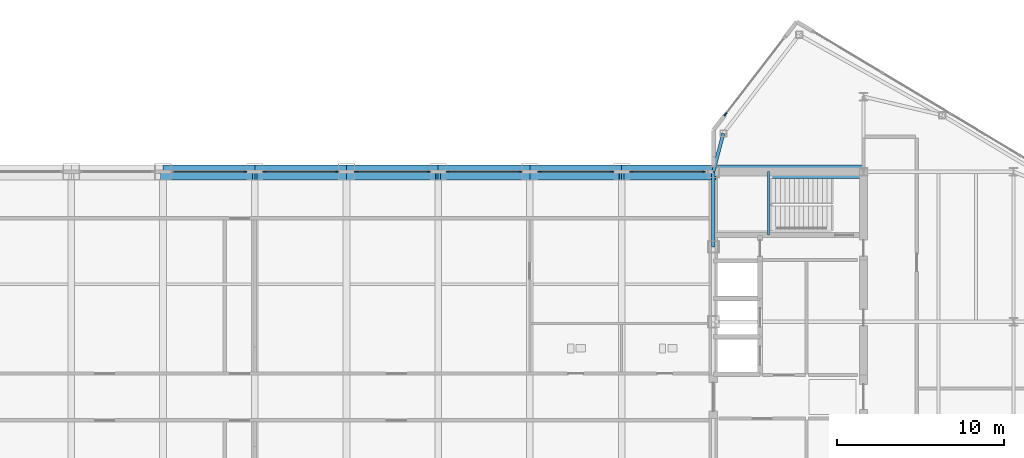
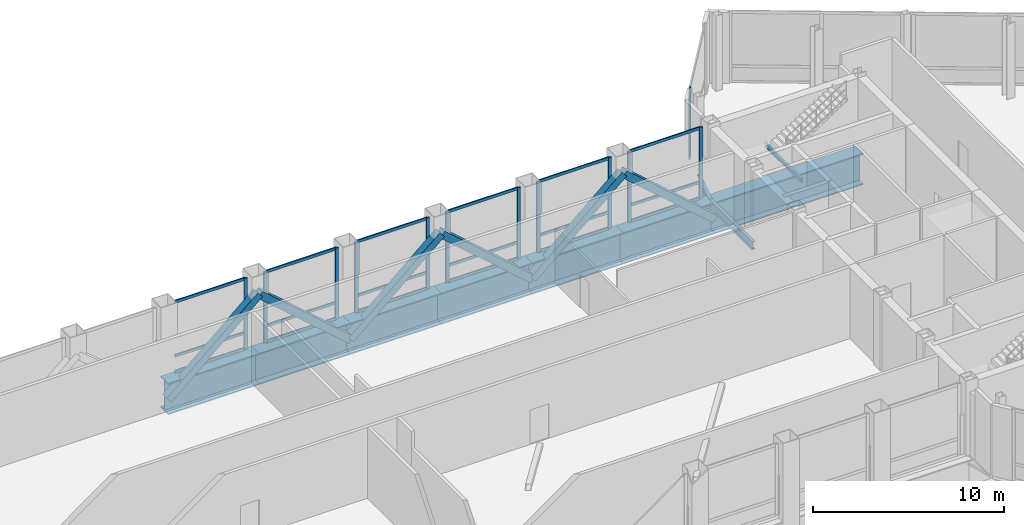
# One storey, part 16 of 29: 36 members, 10 beams, 7 elements without a shape of their own.
"""IFC4 building model written with IfcOpenShell, lengths in metres."""

from ifc_helpers import new_model, si_unit, direction, frame, origin, origin_2d, place, context, subcontext, project, spatial, rectangle, hollow_rectangle, i_section, extrude, source, transform, mapped, material, layer, layer_set, material_profile, profile_set, type_object, type_shapes, element, aggregate, save


model = new_model("IFC4")

# Units and contexts
model_context = context("Model", 3, precision=1e-05, world=origin(), true_north=direction((0.0, 1.0)))
body_context = subcontext(model_context, "Body", "Model", "MODEL_VIEW")
ifc_project = project(units=[si_unit("LENGTHUNIT", "METRE"), si_unit("AREAUNIT", "SQUARE_METRE"), si_unit("VOLUMEUNIT", "CUBIC_METRE"), si_unit("PLANEANGLEUNIT", "RADIAN"), si_unit("MASSUNIT", "GRAM", prefix="KILO")], contexts=[model_context])

# Site, building, storey
site_placement = place(None, origin())
site = spatial("IfcSite", under=ifc_project, at=site_placement, CompositionType="ELEMENT")
building_placement = place(site_placement, origin())
building = spatial("IfcBuilding", under=site, at=building_placement, Name="Seokmaru Belvedere", CompositionType="ELEMENT")
storey_placement = place(building_placement, frame((0.0, 0.0, 229.800048828125)))
storey = spatial("IfcBuildingStorey", under=building, at=storey_placement, Name="L61", CompositionType="ELEMENT", Elevation=229.800048828125)

# Beams
ifc_material_1 = material(Name="Steel SM355 (355 MPa)", Category="steel")
ifc_material_profile_1 = material_profile(ifc_material_1, i_section(OverallWidth=0.199951171875, OverallDepth=0.5, WebThickness=0.010009765625, FlangeThickness=0.01611328125, at=origin_2d()), Name="H-500x200x10x16")
ifc_profile_set_1 = profile_set([ifc_material_profile_1], Name="Steel SM355 (355 MPa)")
beam_type_1 = type_object("IfcBeamType", Name="Perimeter Spandrel Beam H-500", PredefinedType="SPANDREL", material=ifc_profile_set_1)
shared_shape_1 = source(origin(), body_context, "Body", "SweptSolid", [
    extrude(i_section(OverallWidth=0.199951171875, OverallDepth=0.5, WebThickness=0.010009765625, FlangeThickness=0.01611328125, at=origin_2d()), origin(), (0.0, 0.0, 1.0), 4.5),
])
beam_1_placement = place(storey_placement, frame((27.5, 9.0, -0.510009765625), z_axis=(0.0, 1.0, 0.0), x_axis=(-1.0, 0.0, 0.0)))
element("IfcBeam", 1, at=beam_1_placement, inside=storey, type_object=beam_type_1, Name="L61 E Portal Spine Spandrel 5", PredefinedType="SPANDREL", context=body_context, shape_type="MappedRepresentation", body=[
    mapped(shared_shape_1, transform((0.0, 0.0, 0.0), scale=1.0)),
])
shared_shape_2 = source(origin(), body_context, "Body", "SweptSolid", [
    extrude(i_section(OverallWidth=0.199951171875, OverallDepth=0.5, WebThickness=0.010009765625, FlangeThickness=0.01611328125, at=origin_2d()), origin(), (0.0, 0.0, 1.0), 2.373046875),
])
type_shapes(beam_type_1, [shared_shape_1, shared_shape_2])
beam_2_placement = place(storey_placement, frame((28.10009765625, 15.7958984375, -0.510009765625), z_axis=(-0.252882558842, -0.967496982648, 0.0), x_axis=(0.967496982648, -0.252882558842, 0.0)))
element("IfcBeam", 2, at=beam_2_placement, inside=storey, type_object=beam_type_1, Name="L61 E Shoulder Spine Spandrel N", PredefinedType="SPANDREL", context=body_context, shape_type="MappedRepresentation", body=[
    mapped(shared_shape_2, transform((0.0, 0.0, 0.0), scale=1.0)),
])
ifc_material_2 = material(Name="Steel HSA650 (650 MPa)", Category="steel")
ifc_material_profile_2 = material_profile(ifc_material_2, i_section(OverallWidth=0.800048828125, OverallDepth=2.0, WebThickness=0.0400390625, FlangeThickness=0.070068359375, at=origin_2d()), Name="BH-2000x800x40x70")
ifc_profile_set_2 = profile_set([ifc_material_profile_2], Name="Steel HSA650 (650 MPa)")
beam_type_2 = type_object("IfcBeamType", Name="Sky-Gate Transfer Truss Chord Girder BH-2000", PredefinedType="BEAM", material=ifc_profile_set_2)
shared_shape_3 = source(origin(), body_context, "Body", "SweptSolid", [
    extrude(i_section(OverallWidth=0.800048828125, OverallDepth=2.0, WebThickness=0.0400390625, FlangeThickness=0.070068359375, at=origin_2d()), origin(), (0.0, 0.0, 1.0), 9.0),
])
beam_3_placement = place(storey_placement, frame((27.5, 13.5, -1.260009765625), z_axis=(1.0, 0.0, 0.0), x_axis=(0.0, 1.0, 0.0)))
element("IfcBeam", 3, at=beam_3_placement, inside=storey, type_object=beam_type_2, Name="L61 Sky-Gate Transfer Truss Chord N-12", PredefinedType="BEAM", context=body_context, shape_type="MappedRepresentation", body=[
    mapped(shared_shape_3, transform((0.0, 0.0, 0.0), scale=1.0)),
])
shared_shape_4 = source(origin(), body_context, "Body", "SweptSolid", [
    extrude(i_section(OverallWidth=0.800048828125, OverallDepth=2.0, WebThickness=0.0400390625, FlangeThickness=0.070068359375, at=origin_2d()), origin(), (0.0, 0.0, 1.0), 5.5),
])
type_shapes(beam_type_2, [shared_shape_3, shared_shape_4])
for number, where, z_axis, x_axis, name in (
    (4, (-5.5, 13.5, -1.260009765625), (1.0, 0.0, 0.0), (0.0, 1.0, 0.0), "L61 Sky-Gate Transfer Truss Chord N-06"),
    (5, (0.0, 13.5, -1.260009765625), (1.0, 0.0, 0.0), (0.0, 1.0, 0.0), "L61 Sky-Gate Transfer Truss Chord N-07"),
    (6, (5.5, 13.5, -1.260009765625), (1.0, 0.0, 0.0), (0.0, 1.0, 0.0), "L61 Sky-Gate Transfer Truss Chord N-08"),
    (7, (11.0, 13.5, -1.260009765625), (1.0, 0.0, 0.0), (0.0, 1.0, 0.0), "L61 Sky-Gate Transfer Truss Chord N-09"),
    (8, (16.5, 13.5, -1.260009765625), (1.0, 0.0, 0.0), (0.0, 1.0, 0.0), "L61 Sky-Gate Transfer Truss Chord N-10"),
    (9, (22.0, 13.5, -1.260009765625), (1.0, 0.0, 0.0), (0.0, 1.0, 0.0), "L61 Sky-Gate Transfer Truss Chord N-11"),
):
    element("IfcBeam", number, at=place(storey_placement, frame(where, z_axis=z_axis, x_axis=x_axis)), inside=storey, type_object=beam_type_2, Name=name, PredefinedType="BEAM", context=body_context, shape_type="MappedRepresentation", body=[
        mapped(shared_shape_4, transform((0.0, 0.0, 0.0), scale=1.0)),
    ])

# Members
ifc_material_profile_3 = material_profile(ifc_material_2, hollow_rectangle(XDim=0.449951171875, YDim=0.449951171875, WallThickness=0.01806640625, at=origin_2d()), Name="HSS-450x450x18")
ifc_profile_set_3 = profile_set([ifc_material_profile_3], Name="Steel HSA650 (650 MPa)")
member_type_1 = type_object("IfcMemberType", Name="Sky-Gate Transfer Truss Web Diagonal HSS-450", PredefinedType="BRACE", material=ifc_profile_set_3)
shared_shape_5 = source(origin(), body_context, "Body", "SweptSolid", [
    extrude(hollow_rectangle(XDim=0.449951171875, YDim=0.449951171875, WallThickness=0.01806640625, at=origin_2d()), origin(), (0.0, 0.0, 1.0), 7.300048828125),
])
type_shapes(member_type_1, [shared_shape_5])
for number, where, z_axis, x_axis, name in (
    (10, (-5.5, 13.22412109375, -1.260009765625), (0.753421343899, 0.0, 0.65753804343), (0.0, 1.0, 0.0), "L61 Sky-Gate Transfer Truss Web Diagonal N-05"),
    (11, (0.0, 13.22412109375, 3.5400390625), (0.753421343899, 0.0, -0.65753804343), (0.0, 1.0, 0.0), "L61 Sky-Gate Transfer Truss Web Diagonal N-06"),
    (12, (5.5, 13.22412109375, -1.260009765625), (0.753421343899, 0.0, 0.65753804343), (0.0, 1.0, 0.0), "L61 Sky-Gate Transfer Truss Web Diagonal N-07"),
    (13, (11.0, 13.22412109375, 3.5400390625), (0.753421343899, 0.0, -0.65753804343), (0.0, 1.0, 0.0), "L61 Sky-Gate Transfer Truss Web Diagonal N-08"),
    (14, (16.5, 13.22412109375, -1.260009765625), (0.753421343899, 0.0, 0.65753804343), (0.0, 1.0, 0.0), "L61 Sky-Gate Transfer Truss Web Diagonal N-09"),
    (15, (22.0, 13.22412109375, 3.5400390625), (0.753421343899, 0.0, -0.65753804343), (0.0, 1.0, 0.0), "L61 Sky-Gate Transfer Truss Web Diagonal N-10"),
):
    element("IfcMember", number, at=place(storey_placement, frame(where, z_axis=z_axis, x_axis=x_axis)), inside=storey, type_object=member_type_1, Name=name, PredefinedType="BRACE", context=body_context, shape_type="MappedRepresentation", body=[
        mapped(shared_shape_5, transform((0.0, 0.0, 0.0), scale=1.0)),
    ])

# Curtain wall, member
ifc_material_3 = material(Name="Bronze Triple Insulating Glass", Category="glass")
ifc_layer = layer(ifc_material_3, 0.219970703125)
ifc_layer_set = layer_set([ifc_layer], Name="Bronze Triple Insulating Glass")
curtain_wall_type = type_object("IfcCurtainWallType", Name="Sky-Gate Bridge Panorama Curtain Wall System CW-6", PredefinedType="NOTDEFINED", material=ifc_layer_set)
curtain_wall_1_placement = place(storey_placement, origin())
curtain_wall_1 = element("IfcCurtainWall", 16, at=curtain_wall_1_placement, inside=storey, type_object=curtain_wall_type, Name="L61 Curtain Wall EF4", PredefinedType="NOTDEFINED")
ifc_material_4 = material(Name="Anodised Bronze Aluminium", Category="aluminium")
ifc_material_profile_4 = material_profile(ifc_material_4, rectangle(XDim=0.080078125, YDim=0.219970703125, at=origin_2d()), Name="CW-M-80x220")
ifc_profile_set_4 = profile_set([ifc_material_profile_4], Name="Anodised Bronze Aluminium")
member_type_2 = type_object("IfcMemberType", Name="Bronze Unitised Mullion 80x220", PredefinedType="MULLION", material=ifc_profile_set_4)
shared_shape_6 = source(origin(), body_context, "Body", "SweptSolid", [
    extrude(rectangle(XDim=0.080078125, YDim=0.219970703125, at=origin_2d()), origin(), (0.0, 0.0, 1.0), 4.5400390625),
])
type_shapes(member_type_2, [shared_shape_6])
member_1_placement = place(storey_placement, frame((28.2255859375, 16.943115234375, 0.0), z_axis=(0.0, 0.0, 1.0), x_axis=(0.792631353244, -0.609701187349, 0.0)))
member_1 = element("IfcMember", 17, at=member_1_placement, type_object=member_type_2, Name="CW:L61:EF4 Mullion 2", PredefinedType="MULLION", context=body_context, shape_type="MappedRepresentation", body=[
    mapped(shared_shape_6, transform((0.0, 0.0, 0.0), scale=1.0)),
])
aggregate(curtain_wall_1, [member_1])

curtain_wall_2_placement = place(storey_placement, origin())
curtain_wall_2 = element("IfcCurtainWall", 18, at=curtain_wall_2_placement, inside=storey, type_object=curtain_wall_type, Name="L61 Curtain Wall BR_N05", PredefinedType="NOTDEFINED")
member_2_placement = place(storey_placement, frame((-0.590087890625, 13.5, 0.0), z_axis=(0.0, 0.0, 1.0), x_axis=(0.0, -1.0, 0.0)))
member_2 = element("IfcMember", 19, at=member_2_placement, type_object=member_type_2, Name="CW:L61:BR_N05 Mullion 1", PredefinedType="MULLION", context=body_context, shape_type="MappedRepresentation", body=[
    mapped(shared_shape_6, transform((0.0, 0.0, 0.0), scale=1.0)),
])

# Curtain wall, members
curtain_wall_3_placement = place(storey_placement, origin())
curtain_wall_3 = element("IfcCurtainWall", 20, at=curtain_wall_3_placement, inside=storey, type_object=curtain_wall_type, Name="L61 Curtain Wall BR_N06", PredefinedType="NOTDEFINED")
member_3_placement = place(storey_placement, frame((4.909912109375, 13.5, 0.0), z_axis=(0.0, 0.0, 1.0), x_axis=(0.0, -1.0, 0.0)))
member_3 = element("IfcMember", 21, at=member_3_placement, type_object=member_type_2, Name="CW:L61:BR_N06 Mullion 1", PredefinedType="MULLION", context=body_context, shape_type="MappedRepresentation", body=[
    mapped(shared_shape_6, transform((0.0, 0.0, 0.0), scale=1.0)),
])
member_4_placement = place(storey_placement, frame((0.590087890625, 13.5, 0.0), z_axis=(0.0, 0.0, 1.0), x_axis=(0.0, -1.0, 0.0)))
member_4 = element("IfcMember", 22, at=member_4_placement, type_object=member_type_2, Name="CW:L61:BR_N06 Mullion 2", PredefinedType="MULLION", context=body_context, shape_type="MappedRepresentation", body=[
    mapped(shared_shape_6, transform((0.0, 0.0, 0.0), scale=1.0)),
])

curtain_wall_4_placement = place(storey_placement, origin())
curtain_wall_4 = element("IfcCurtainWall", 23, at=curtain_wall_4_placement, inside=storey, type_object=curtain_wall_type, Name="L61 Curtain Wall BR_N07", PredefinedType="NOTDEFINED")
member_5_placement = place(storey_placement, frame((10.409912109375, 13.5, 0.0), z_axis=(0.0, 0.0, 1.0), x_axis=(0.0, -1.0, 0.0)))
member_5 = element("IfcMember", 24, at=member_5_placement, type_object=member_type_2, Name="CW:L61:BR_N07 Mullion 1", PredefinedType="MULLION", context=body_context, shape_type="MappedRepresentation", body=[
    mapped(shared_shape_6, transform((0.0, 0.0, 0.0), scale=1.0)),
])
member_6_placement = place(storey_placement, frame((6.090087890625, 13.5, 0.0), z_axis=(0.0, 0.0, 1.0), x_axis=(0.0, -1.0, 0.0)))
member_6 = element("IfcMember", 25, at=member_6_placement, type_object=member_type_2, Name="CW:L61:BR_N07 Mullion 2", PredefinedType="MULLION", context=body_context, shape_type="MappedRepresentation", body=[
    mapped(shared_shape_6, transform((0.0, 0.0, 0.0), scale=1.0)),
])

curtain_wall_5_placement = place(storey_placement, origin())
curtain_wall_5 = element("IfcCurtainWall", 26, at=curtain_wall_5_placement, inside=storey, type_object=curtain_wall_type, Name="L61 Curtain Wall BR_N08", PredefinedType="NOTDEFINED")
member_7_placement = place(storey_placement, frame((15.909912109375, 13.5, 0.0), z_axis=(0.0, 0.0, 1.0), x_axis=(0.0, -1.0, 0.0)))
member_7 = element("IfcMember", 27, at=member_7_placement, type_object=member_type_2, Name="CW:L61:BR_N08 Mullion 1", PredefinedType="MULLION", context=body_context, shape_type="MappedRepresentation", body=[
    mapped(shared_shape_6, transform((0.0, 0.0, 0.0), scale=1.0)),
])
member_8_placement = place(storey_placement, frame((11.590087890625, 13.5, 0.0), z_axis=(0.0, 0.0, 1.0), x_axis=(0.0, -1.0, 0.0)))
member_8 = element("IfcMember", 28, at=member_8_placement, type_object=member_type_2, Name="CW:L61:BR_N08 Mullion 2", PredefinedType="MULLION", context=body_context, shape_type="MappedRepresentation", body=[
    mapped(shared_shape_6, transform((0.0, 0.0, 0.0), scale=1.0)),
])

curtain_wall_6_placement = place(storey_placement, origin())
curtain_wall_6 = element("IfcCurtainWall", 29, at=curtain_wall_6_placement, inside=storey, type_object=curtain_wall_type, Name="L61 Curtain Wall BR_N09", PredefinedType="NOTDEFINED")
member_9_placement = place(storey_placement, frame((21.409912109375, 13.5, 0.0), z_axis=(0.0, 0.0, 1.0), x_axis=(0.0, -1.0, 0.0)))
member_9 = element("IfcMember", 30, at=member_9_placement, type_object=member_type_2, Name="CW:L61:BR_N09 Mullion 1", PredefinedType="MULLION", context=body_context, shape_type="MappedRepresentation", body=[
    mapped(shared_shape_6, transform((0.0, 0.0, 0.0), scale=1.0)),
])
member_10_placement = place(storey_placement, frame((17.090087890625, 13.5, 0.0), z_axis=(0.0, 0.0, 1.0), x_axis=(0.0, -1.0, 0.0)))
member_10 = element("IfcMember", 31, at=member_10_placement, type_object=member_type_2, Name="CW:L61:BR_N09 Mullion 2", PredefinedType="MULLION", context=body_context, shape_type="MappedRepresentation", body=[
    mapped(shared_shape_6, transform((0.0, 0.0, 0.0), scale=1.0)),
])

curtain_wall_7_placement = place(storey_placement, origin())
curtain_wall_7 = element("IfcCurtainWall", 32, at=curtain_wall_7_placement, inside=storey, type_object=curtain_wall_type, Name="L61 Curtain Wall BR_N10", PredefinedType="NOTDEFINED")
member_11_placement = place(storey_placement, frame((26.909912109375, 13.5, 0.0), z_axis=(0.0, 0.0, 1.0), x_axis=(0.0, -1.0, 0.0)))
member_11 = element("IfcMember", 33, at=member_11_placement, type_object=member_type_2, Name="CW:L61:BR_N10 Mullion 1", PredefinedType="MULLION", context=body_context, shape_type="MappedRepresentation", body=[
    mapped(shared_shape_6, transform((0.0, 0.0, 0.0), scale=1.0)),
])
member_12_placement = place(storey_placement, frame((22.590087890625, 13.5, 0.0), z_axis=(0.0, 0.0, 1.0), x_axis=(0.0, -1.0, 0.0)))
member_12 = element("IfcMember", 34, at=member_12_placement, type_object=member_type_2, Name="CW:L61:BR_N10 Mullion 2", PredefinedType="MULLION", context=body_context, shape_type="MappedRepresentation", body=[
    mapped(shared_shape_6, transform((0.0, 0.0, 0.0), scale=1.0)),
])

# Member
ifc_material_profile_5 = material_profile(ifc_material_4, rectangle(XDim=0.074951171875, YDim=0.179931640625, at=origin_2d()), Name="CW-T-75x180")
ifc_profile_set_5 = profile_set([ifc_material_profile_5], Name="Anodised Bronze Aluminium")
member_type_3 = type_object("IfcMemberType", Name="Bronze Unitised Transom 75x180", PredefinedType="USERDEFINED", material=ifc_profile_set_5)
shared_shape_7 = source(origin(), body_context, "Body", "SweptSolid", [
    extrude(rectangle(XDim=0.074951171875, YDim=0.179931640625, at=origin_2d()), origin(), (0.0, 0.0, 1.0), 4.240234375),
])
type_shapes(member_type_3, [shared_shape_7])
member_13_placement = place(storey_placement, frame((-0.6298828125, 13.5, 0.037353515625), z_axis=(-1.0, 0.0, 0.0), x_axis=(0.0, -1.0, 0.0)))
member_13 = element("IfcMember", 35, at=member_13_placement, type_object=member_type_3, Name="CW:L61:BR_N05 Continuous Transom 1", ObjectType="TRANSOM", PredefinedType="USERDEFINED", context=body_context, shape_type="MappedRepresentation", body=[
    mapped(shared_shape_7, transform((0.0, 0.0, 0.0), scale=1.0)),
])

member_14_placement = place(storey_placement, frame((-0.6298828125, 13.5, 4.50244140625), z_axis=(-1.0, 0.0, 0.0), x_axis=(0.0, -1.0, 0.0)))
member_14 = element("IfcMember", 36, at=member_14_placement, type_object=member_type_3, Name="CW:L61:BR_N05 Continuous Transom 2", ObjectType="TRANSOM", PredefinedType="USERDEFINED", context=body_context, shape_type="MappedRepresentation", body=[
    mapped(shared_shape_7, transform((0.0, 0.0, 0.0), scale=1.0)),
])

member_15_placement = place(storey_placement, frame((-0.6298828125, 13.5, 1.050048828125), z_axis=(-1.0, 0.0, 0.0), x_axis=(0.0, -1.0, 0.0)))
member_15 = element("IfcMember", 37, at=member_15_placement, type_object=member_type_3, Name="CW:L61:BR_N05 Spandrel Transom 1", ObjectType="TRANSOM", PredefinedType="USERDEFINED", context=body_context, shape_type="MappedRepresentation", body=[
    mapped(shared_shape_7, transform((0.0, 0.0, 0.0), scale=1.0)),
])

aggregate(curtain_wall_2, [member_2, member_13, member_14, member_15])

member_16_placement = place(storey_placement, frame((4.8701171875, 13.5, 0.037353515625), z_axis=(-1.0, 0.0, 0.0), x_axis=(0.0, -1.0, 0.0)))
member_16 = element("IfcMember", 38, at=member_16_placement, type_object=member_type_3, Name="CW:L61:BR_N06 Continuous Transom 1", ObjectType="TRANSOM", PredefinedType="USERDEFINED", context=body_context, shape_type="MappedRepresentation", body=[
    mapped(shared_shape_7, transform((0.0, 0.0, 0.0), scale=1.0)),
])

member_17_placement = place(storey_placement, frame((4.8701171875, 13.5, 4.50244140625), z_axis=(-1.0, 0.0, 0.0), x_axis=(0.0, -1.0, 0.0)))
member_17 = element("IfcMember", 39, at=member_17_placement, type_object=member_type_3, Name="CW:L61:BR_N06 Continuous Transom 2", ObjectType="TRANSOM", PredefinedType="USERDEFINED", context=body_context, shape_type="MappedRepresentation", body=[
    mapped(shared_shape_7, transform((0.0, 0.0, 0.0), scale=1.0)),
])

member_18_placement = place(storey_placement, frame((4.8701171875, 13.5, 1.050048828125), z_axis=(-1.0, 0.0, 0.0), x_axis=(0.0, -1.0, 0.0)))
member_18 = element("IfcMember", 40, at=member_18_placement, type_object=member_type_3, Name="CW:L61:BR_N06 Spandrel Transom 1", ObjectType="TRANSOM", PredefinedType="USERDEFINED", context=body_context, shape_type="MappedRepresentation", body=[
    mapped(shared_shape_7, transform((0.0, 0.0, 0.0), scale=1.0)),
])

aggregate(curtain_wall_3, [member_3, member_4, member_16, member_17, member_18])

member_19_placement = place(storey_placement, frame((10.3701171875, 13.5, 0.037353515625), z_axis=(-1.0, 0.0, 0.0), x_axis=(0.0, -1.0, 0.0)))
member_19 = element("IfcMember", 41, at=member_19_placement, type_object=member_type_3, Name="CW:L61:BR_N07 Continuous Transom 1", ObjectType="TRANSOM", PredefinedType="USERDEFINED", context=body_context, shape_type="MappedRepresentation", body=[
    mapped(shared_shape_7, transform((0.0, 0.0, 0.0), scale=1.0)),
])

member_20_placement = place(storey_placement, frame((10.3701171875, 13.5, 4.50244140625), z_axis=(-1.0, 0.0, 0.0), x_axis=(0.0, -1.0, 0.0)))
member_20 = element("IfcMember", 42, at=member_20_placement, type_object=member_type_3, Name="CW:L61:BR_N07 Continuous Transom 2", ObjectType="TRANSOM", PredefinedType="USERDEFINED", context=body_context, shape_type="MappedRepresentation", body=[
    mapped(shared_shape_7, transform((0.0, 0.0, 0.0), scale=1.0)),
])

member_21_placement = place(storey_placement, frame((10.3701171875, 13.5, 1.050048828125), z_axis=(-1.0, 0.0, 0.0), x_axis=(0.0, -1.0, 0.0)))
member_21 = element("IfcMember", 43, at=member_21_placement, type_object=member_type_3, Name="CW:L61:BR_N07 Spandrel Transom 1", ObjectType="TRANSOM", PredefinedType="USERDEFINED", context=body_context, shape_type="MappedRepresentation", body=[
    mapped(shared_shape_7, transform((0.0, 0.0, 0.0), scale=1.0)),
])

aggregate(curtain_wall_4, [member_5, member_6, member_19, member_20, member_21])

member_22_placement = place(storey_placement, frame((15.8701171875, 13.5, 0.037353515625), z_axis=(-1.0, 0.0, 0.0), x_axis=(0.0, -1.0, 0.0)))
member_22 = element("IfcMember", 44, at=member_22_placement, type_object=member_type_3, Name="CW:L61:BR_N08 Continuous Transom 1", ObjectType="TRANSOM", PredefinedType="USERDEFINED", context=body_context, shape_type="MappedRepresentation", body=[
    mapped(shared_shape_7, transform((0.0, 0.0, 0.0), scale=1.0)),
])

member_23_placement = place(storey_placement, frame((15.8701171875, 13.5, 4.50244140625), z_axis=(-1.0, 0.0, 0.0), x_axis=(0.0, -1.0, 0.0)))
member_23 = element("IfcMember", 45, at=member_23_placement, type_object=member_type_3, Name="CW:L61:BR_N08 Continuous Transom 2", ObjectType="TRANSOM", PredefinedType="USERDEFINED", context=body_context, shape_type="MappedRepresentation", body=[
    mapped(shared_shape_7, transform((0.0, 0.0, 0.0), scale=1.0)),
])

member_24_placement = place(storey_placement, frame((15.8701171875, 13.5, 1.050048828125), z_axis=(-1.0, 0.0, 0.0), x_axis=(0.0, -1.0, 0.0)))
member_24 = element("IfcMember", 46, at=member_24_placement, type_object=member_type_3, Name="CW:L61:BR_N08 Spandrel Transom 1", ObjectType="TRANSOM", PredefinedType="USERDEFINED", context=body_context, shape_type="MappedRepresentation", body=[
    mapped(shared_shape_7, transform((0.0, 0.0, 0.0), scale=1.0)),
])

aggregate(curtain_wall_5, [member_7, member_8, member_22, member_23, member_24])

member_25_placement = place(storey_placement, frame((21.3701171875, 13.5, 0.037353515625), z_axis=(-1.0, 0.0, 0.0), x_axis=(0.0, -1.0, 0.0)))
member_25 = element("IfcMember", 47, at=member_25_placement, type_object=member_type_3, Name="CW:L61:BR_N09 Continuous Transom 1", ObjectType="TRANSOM", PredefinedType="USERDEFINED", context=body_context, shape_type="MappedRepresentation", body=[
    mapped(shared_shape_7, transform((0.0, 0.0, 0.0), scale=1.0)),
])

member_26_placement = place(storey_placement, frame((21.3701171875, 13.5, 4.50244140625), z_axis=(-1.0, 0.0, 0.0), x_axis=(0.0, -1.0, 0.0)))
member_26 = element("IfcMember", 48, at=member_26_placement, type_object=member_type_3, Name="CW:L61:BR_N09 Continuous Transom 2", ObjectType="TRANSOM", PredefinedType="USERDEFINED", context=body_context, shape_type="MappedRepresentation", body=[
    mapped(shared_shape_7, transform((0.0, 0.0, 0.0), scale=1.0)),
])

member_27_placement = place(storey_placement, frame((21.3701171875, 13.5, 1.050048828125), z_axis=(-1.0, 0.0, 0.0), x_axis=(0.0, -1.0, 0.0)))
member_27 = element("IfcMember", 49, at=member_27_placement, type_object=member_type_3, Name="CW:L61:BR_N09 Spandrel Transom 1", ObjectType="TRANSOM", PredefinedType="USERDEFINED", context=body_context, shape_type="MappedRepresentation", body=[
    mapped(shared_shape_7, transform((0.0, 0.0, 0.0), scale=1.0)),
])

aggregate(curtain_wall_6, [member_9, member_10, member_25, member_26, member_27])

member_28_placement = place(storey_placement, frame((26.8701171875, 13.5, 0.037353515625), z_axis=(-1.0, 0.0, 0.0), x_axis=(0.0, -1.0, 0.0)))
member_28 = element("IfcMember", 50, at=member_28_placement, type_object=member_type_3, Name="CW:L61:BR_N10 Continuous Transom 1", ObjectType="TRANSOM", PredefinedType="USERDEFINED", context=body_context, shape_type="MappedRepresentation", body=[
    mapped(shared_shape_7, transform((0.0, 0.0, 0.0), scale=1.0)),
])

member_29_placement = place(storey_placement, frame((26.8701171875, 13.5, 4.50244140625), z_axis=(-1.0, 0.0, 0.0), x_axis=(0.0, -1.0, 0.0)))
member_29 = element("IfcMember", 51, at=member_29_placement, type_object=member_type_3, Name="CW:L61:BR_N10 Continuous Transom 2", ObjectType="TRANSOM", PredefinedType="USERDEFINED", context=body_context, shape_type="MappedRepresentation", body=[
    mapped(shared_shape_7, transform((0.0, 0.0, 0.0), scale=1.0)),
])

member_30_placement = place(storey_placement, frame((26.8701171875, 13.5, 1.050048828125), z_axis=(-1.0, 0.0, 0.0), x_axis=(0.0, -1.0, 0.0)))
member_30 = element("IfcMember", 52, at=member_30_placement, type_object=member_type_3, Name="CW:L61:BR_N10 Spandrel Transom 1", ObjectType="TRANSOM", PredefinedType="USERDEFINED", context=body_context, shape_type="MappedRepresentation", body=[
    mapped(shared_shape_7, transform((0.0, 0.0, 0.0), scale=1.0)),
])

aggregate(curtain_wall_7, [member_11, member_12, member_28, member_29, member_30])

# Beam
ifc_material_profile_6 = material_profile(ifc_material_1, i_section(OverallWidth=0.125, OverallDepth=0.25, WebThickness=0.006103515625, FlangeThickness=0.009033203125, at=origin_2d()), Name="H-250x125x6x9")
ifc_profile_set_6 = profile_set([ifc_material_profile_6], Name="Steel SM355 (355 MPa)")
beam_type_3 = type_object("IfcBeamType", Name="Stair Mid-Landing Support Beam H-250", PredefinedType="JOIST", material=ifc_profile_set_6)
shared_shape_8 = source(origin(), body_context, "Body", "SweptSolid", [
    extrude(i_section(OverallWidth=0.125, OverallDepth=0.25, WebThickness=0.006103515625, FlangeThickness=0.009033203125, at=origin_2d()), origin(), (0.0, 0.0, 1.0), 3.800048828125),
])
type_shapes(beam_type_3, [shared_shape_8])
beam_4_placement = place(storey_placement, frame((30.81005859375, 9.699951171875, 2.074951171875), z_axis=(0.0, 1.0, 0.0), x_axis=(-1.0, 0.0, 0.0)))
element("IfcBeam", 53, at=beam_4_placement, inside=storey, type_object=beam_type_3, Name="L61 Stair ST-E2 Mid-Landing Support Beam 1", PredefinedType="JOIST", context=body_context, shape_type="MappedRepresentation", body=[
    mapped(shared_shape_8, transform((0.0, 0.0, 0.0), scale=1.0)),
])

save(model, "model.ifc")
